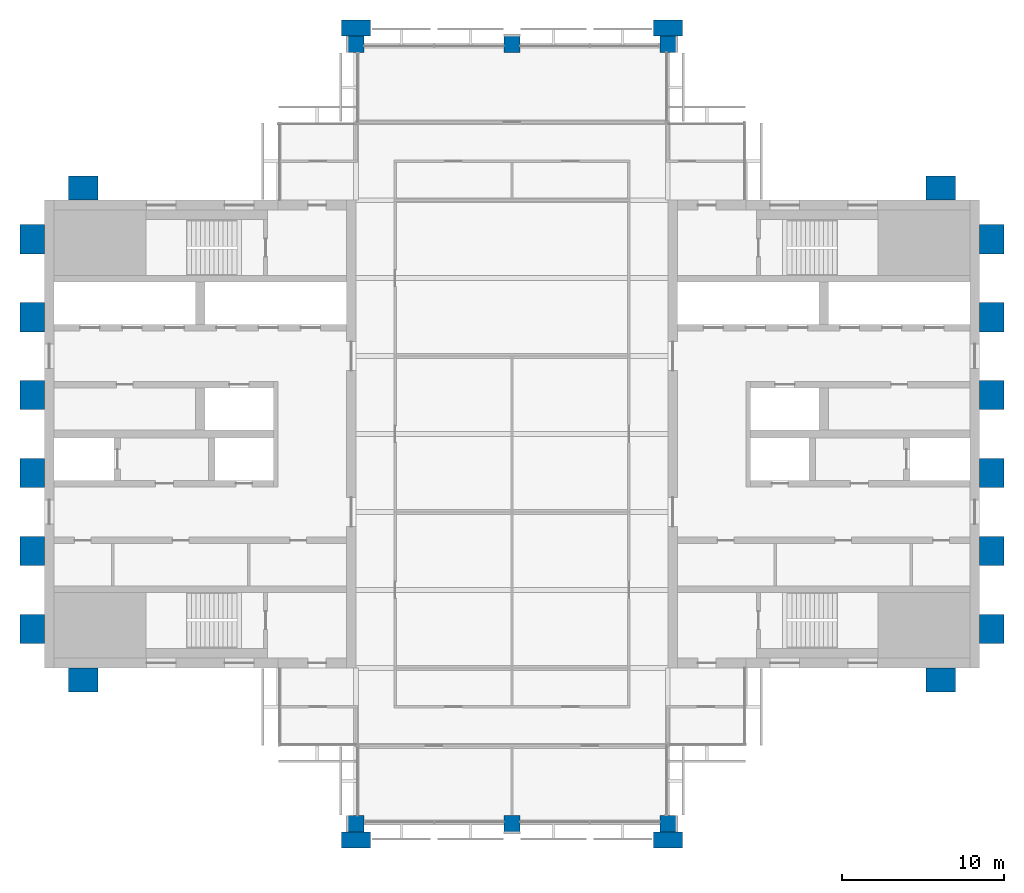
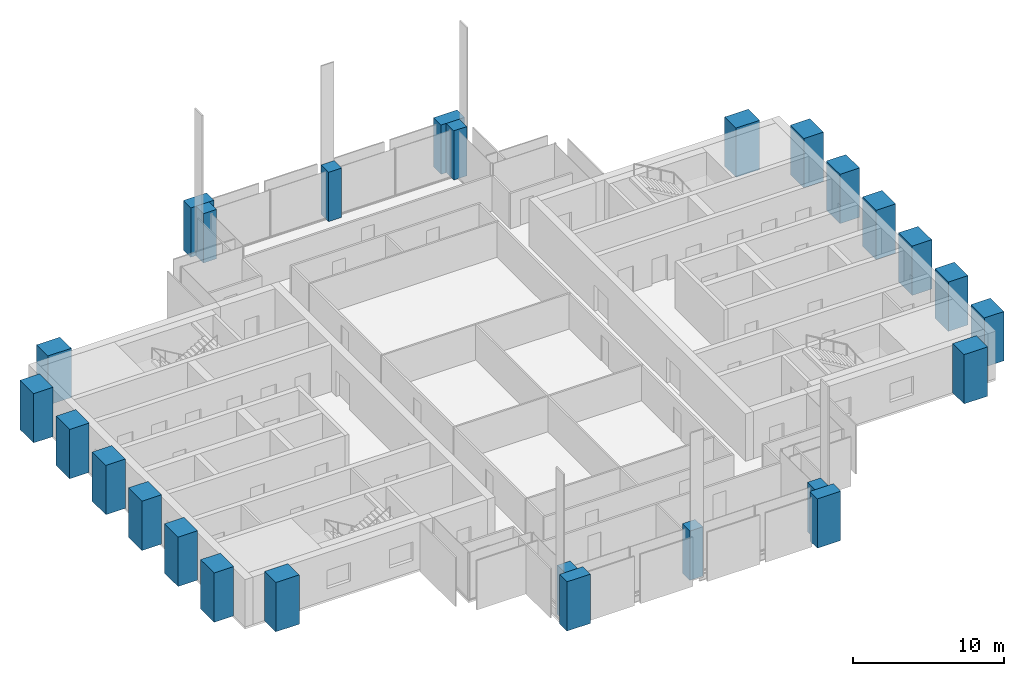
# One storey, part 1 of 13: 26 columns.
"""IFC4 building model written with IfcOpenShell, lengths in metres."""

from ifc_helpers import new_model, si_unit, direction, frame, origin, origin_2d, place, context, subcontext, project, spatial, rectangle, extrude, material, material_profile, profile_set, type_object, element, save


model = new_model("IFC4")

# Units and contexts
model_context = context("Model", 3, precision=1e-05, world=origin(), true_north=direction((0.0, 1.0)))
body_context = subcontext(model_context, "Body", "Model", "MODEL_VIEW")
ifc_project = project(units=[si_unit("LENGTHUNIT", "METRE"), si_unit("AREAUNIT", "SQUARE_METRE"), si_unit("VOLUMEUNIT", "CUBIC_METRE"), si_unit("PLANEANGLEUNIT", "RADIAN"), si_unit("MASSUNIT", "GRAM", prefix="KILO")], contexts=[model_context])

# Site, building, storey
site_placement = place(None, origin())
site = spatial("IfcSite", under=ifc_project, at=site_placement, CompositionType="ELEMENT")
building_placement = place(site_placement, origin())
building = spatial("IfcBuilding", under=site, at=building_placement, Name="Baori Bourse Tower", CompositionType="ELEMENT")
storey_placement = place(building_placement, frame((0.0, 0.0, 294.300048828125)))
storey = spatial("IfcBuildingStorey", under=building, at=storey_placement, Name="L64", CompositionType="ELEMENT", Elevation=294.300048828125)

# Columns
ifc_material_1 = material(Name="Concrete f'c 60 MPa", Category="concrete")
ifc_material_profile_1 = material_profile(ifc_material_1, rectangle(XDim=1.800048828125, YDim=1.0, at=origin_2d()), Name="RC 1800x1000")
ifc_profile_set_1 = profile_set([ifc_material_profile_1], Name="Concrete f'c 60 MPa")
column_type_1 = type_object("IfcColumnType", Name="FN3 Brick pilaster 1800x1000", PredefinedType="PILASTER", material=ifc_profile_set_1)
for number, where, z_axis, x_axis, name in (
    (1, (19.199951171875, -1.0, 0.0), (0.0, 0.0, 1.0), (1.0, 0.0, 0.0), "Brick pilaster L64 17"),
    (2, (38.39990234375, -1.0, 0.0), (0.0, 0.0, 1.0), (1.0, 0.0, 0.0), "Brick pilaster L64 18"),
    (3, (19.199951171875, 49.0, 0.0), (0.0, 0.0, 1.0), (1.0, 0.0, 0.0), "Brick pilaster L64 19"),
    (4, (38.39990234375, 49.0, 0.0), (0.0, 0.0, 1.0), (1.0, 0.0, 0.0), "Brick pilaster L64 20"),
):
    element("IfcColumn", number, at=place(storey_placement, frame(where, z_axis=z_axis, x_axis=x_axis)), inside=storey, type_object=column_type_1, Name=name, PredefinedType="PILASTER", context=body_context, shape_type="SweptSolid", body=[
        extrude(rectangle(XDim=1.800048828125, YDim=1.0, at=origin_2d()), origin(), (0.0, 0.0, 1.0), 4.0),
    ])
ifc_material_2 = material(Name="Concrete f'c 60 MPa", Category="concrete")
ifc_material_profile_2 = material_profile(ifc_material_2, rectangle(XDim=1.800048828125, YDim=1.5, at=origin_2d()), Name="RC 1800x1500")
ifc_profile_set_2 = profile_set([ifc_material_profile_2], Name="Concrete f'c 60 MPa")
column_type_2 = type_object("IfcColumnType", Name="FN4 Brick flank pilaster 1800x1500", PredefinedType="PILASTER", material=ifc_profile_set_2)
for number, where, z_axis, x_axis, name in (
    (5, (55.199951171875, 8.85009765625, 0.0), (0.0, 0.0, 1.0), (1.0, 0.0, 0.0), "Brick pilaster L64 1"),
    (6, (58.35009765625, 12.0, 0.0), (0.0, 0.0, 1.0), (0.0, 1.0, 0.0), "Brick pilaster L64 2"),
    (7, (58.35009765625, 16.800048828125, 0.0), (0.0, 0.0, 1.0), (0.0, 1.0, 0.0), "Brick pilaster L64 3"),
    (8, (58.35009765625, 21.60009765625, 0.0), (0.0, 0.0, 1.0), (0.0, 1.0, 0.0), "Brick pilaster L64 4"),
    (9, (58.35009765625, 26.39990234375, 0.0), (0.0, 0.0, 1.0), (0.0, 1.0, 0.0), "Brick pilaster L64 5"),
    (10, (58.35009765625, 31.199951171875, 0.0), (0.0, 0.0, 1.0), (0.0, 1.0, 0.0), "Brick pilaster L64 6"),
    (11, (58.35009765625, 36.0, 0.0), (0.0, 0.0, 1.0), (0.0, 1.0, 0.0), "Brick pilaster L64 7"),
    (12, (55.199951171875, 39.14990234375, 0.0), (0.0, 0.0, 1.0), (1.0, 0.0, 0.0), "Brick pilaster L64 8"),
    (13, (2.39990234375, 39.14990234375, 0.0), (0.0, 0.0, 1.0), (1.0, 0.0, 0.0), "Brick pilaster L64 9"),
    (14, (-0.75, 12.0, 0.0), (0.0, 0.0, 1.0), (0.0, 1.0, 0.0), "Brick pilaster L64 10"),
    (15, (-0.75, 16.800048828125, 0.0), (0.0, 0.0, 1.0), (0.0, 1.0, 0.0), "Brick pilaster L64 11"),
    (16, (-0.75, 21.60009765625, 0.0), (0.0, 0.0, 1.0), (0.0, 1.0, 0.0), "Brick pilaster L64 12"),
    (17, (-0.75, 26.39990234375, 0.0), (0.0, 0.0, 1.0), (0.0, 1.0, 0.0), "Brick pilaster L64 13"),
    (18, (-0.75, 31.199951171875, 0.0), (0.0, 0.0, 1.0), (0.0, 1.0, 0.0), "Brick pilaster L64 14"),
    (19, (-0.75, 36.0, 0.0), (0.0, 0.0, 1.0), (0.0, 1.0, 0.0), "Brick pilaster L64 15"),
    (20, (2.39990234375, 8.85009765625, 0.0), (0.0, 0.0, 1.0), (1.0, 0.0, 0.0), "Brick pilaster L64 16"),
):
    element("IfcColumn", number, at=place(storey_placement, frame(where, z_axis=z_axis, x_axis=x_axis)), inside=storey, type_object=column_type_2, Name=name, PredefinedType="PILASTER", context=body_context, shape_type="SweptSolid", body=[
        extrude(rectangle(XDim=1.800048828125, YDim=1.5, at=origin_2d()), origin(), (0.0, 0.0, 1.0), 4.0),
    ])
ifc_material_3 = material(Name="Concrete f'c 40 MPa", Category="concrete")
ifc_material_profile_3 = material_profile(ifc_material_3, rectangle(XDim=1.0, YDim=1.0, at=origin_2d()), Name="RC 1000x1000")
ifc_profile_set_3 = profile_set([ifc_material_profile_3], Name="Concrete f'c 40 MPa")
column_type_3 = type_object("IfcColumnType", Name="Perimeter column 40 RC 1000x1000", PredefinedType="COLUMN", material=ifc_profile_set_3)
for number, where, z_axis, x_axis, name in (
    (21, (19.199951171875, 0.0, 0.0), (0.0, 0.0, 1.0), (1.0, 0.0, 0.0), "Perimeter column L64"),
    (22, (28.800048828125, 0.0, 0.0), (0.0, 0.0, 1.0), (1.0, 0.0, 0.0), "Perimeter column L64"),
    (23, (38.39990234375, 0.0, 0.0), (0.0, 0.0, 1.0), (1.0, 0.0, 0.0), "Perimeter column L64"),
    (24, (19.199951171875, 48.0, 0.0), (0.0, 0.0, 1.0), (1.0, 0.0, 0.0), "Perimeter column L64"),
    (25, (28.800048828125, 48.0, 0.0), (0.0, 0.0, 1.0), (1.0, 0.0, 0.0), "Perimeter column L64"),
    (26, (38.39990234375, 48.0, 0.0), (0.0, 0.0, 1.0), (1.0, 0.0, 0.0), "Perimeter column L64"),
):
    element("IfcColumn", number, at=place(storey_placement, frame(where, z_axis=z_axis, x_axis=x_axis)), inside=storey, type_object=column_type_3, Name=name, PredefinedType="COLUMN", context=body_context, shape_type="SweptSolid", body=[
        extrude(rectangle(XDim=1.0, YDim=1.0, at=origin_2d()), origin(), (0.0, 0.0, 1.0), 4.0),
    ])

save(model, "model.ifc")
